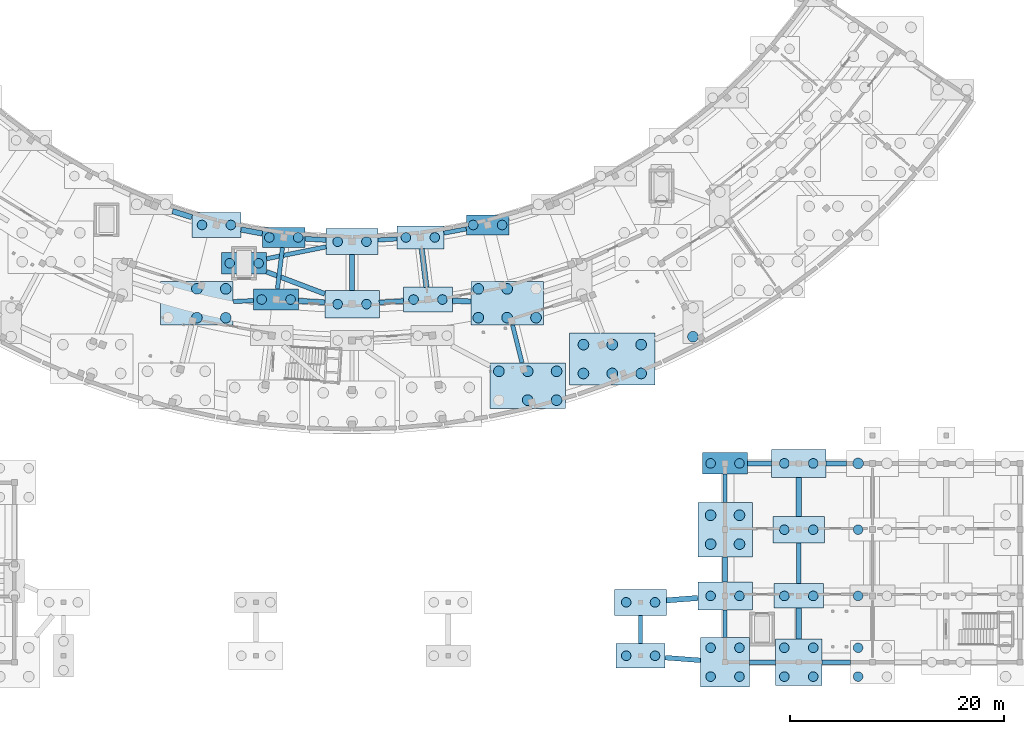
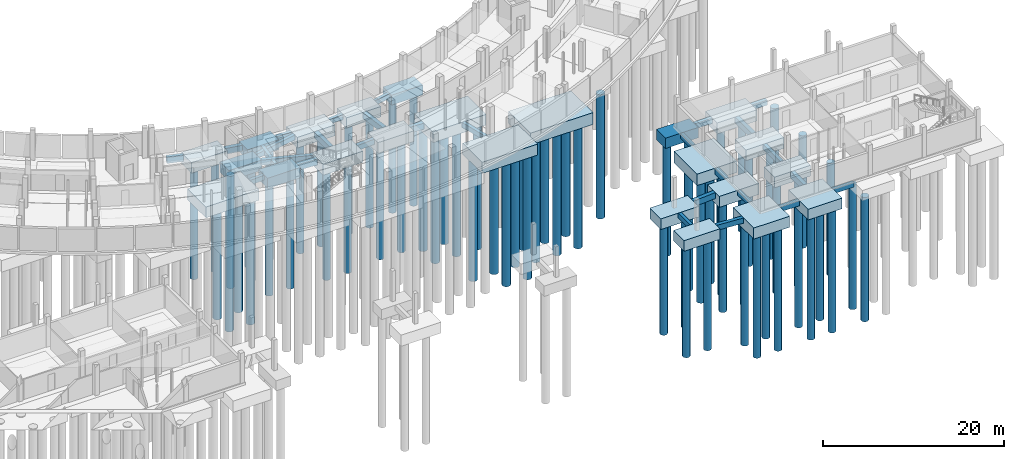
# One storey, part 3 of 58: 70 piles, 51 footings.
"""IFC4 building model written with IfcOpenShell, lengths in metres."""

from ifc_helpers import new_model, si_unit, direction, frame, origin, origin_2d, place, context, subcontext, project, spatial, rectangle, circle, extrude, material, material_profile, profile_set, type_object, element, save


model = new_model("IFC4")

# Units and contexts
model_context = context("Model", 3, precision=1e-05, world=origin(), true_north=direction((0.0, 1.0)))
body_context = subcontext(model_context, "Body", "Model", "MODEL_VIEW")
ifc_project = project(units=[si_unit("LENGTHUNIT", "METRE"), si_unit("AREAUNIT", "SQUARE_METRE"), si_unit("VOLUMEUNIT", "CUBIC_METRE"), si_unit("PLANEANGLEUNIT", "RADIAN"), si_unit("MASSUNIT", "GRAM", prefix="KILO")], contexts=[model_context])

# Site, building, storey
site_placement = place(None, origin())
site = spatial("IfcSite", under=ifc_project, at=site_placement, CompositionType="ELEMENT")
building_placement = place(site_placement, origin())
building = spatial("IfcBuilding", under=site, at=building_placement, Name="Caldaven Crescent School", CompositionType="ELEMENT")
storey_placement = place(building_placement, frame((0.0, 0.0, -4.080078125)))
storey = spatial("IfcBuildingStorey", under=building, at=storey_placement, Name="B1", CompositionType="ELEMENT", Elevation=-4.080078125)

# Footings
ifc_material_1 = material(Name="Concrete C30/37", Category="concrete")
ifc_material_profile_1 = material_profile(ifc_material_1, rectangle(XDim=0.449951171875, YDim=0.699951171875, at=origin_2d()), Name="FB 450x700")
ifc_profile_set_1 = profile_set([ifc_material_profile_1], Name="Concrete C30/37")
footing_type_1 = type_object("IfcFootingType", Name="FTG-FB1", PredefinedType="FOOTING_BEAM", material=ifc_profile_set_1)
footing_1_placement = place(storey_placement, frame((134.27490234375, 22.800048828125, -0.64990234375), z_axis=(-1.0, 0.0, 0.0), x_axis=(0.0, -1.0, 0.0)))
element("IfcFooting", 1, at=footing_1_placement, inside=storey, type_object=footing_type_1, Name="FB-088", PredefinedType="FOOTING_BEAM", context=body_context, shape_type="SweptSolid", body=[
    extrude(rectangle(XDim=0.449951171875, YDim=0.699951171875, at=origin_2d()), origin(), (0.0, 0.0, 1.0), 1.9248046875),
])
footing_2_placement = place(storey_placement, frame((125.199951171875, 4.199951171875, -0.64990234375), z_axis=(1.0, 0.0, 0.0), x_axis=(0.0, 1.0, 0.0)))
element("IfcFooting", 2, at=footing_2_placement, inside=storey, type_object=footing_type_1, Name="FB-097", PredefinedType="FOOTING_BEAM", context=body_context, shape_type="SweptSolid", body=[
    extrude(rectangle(XDim=0.449951171875, YDim=0.699951171875, at=origin_2d()), origin(), (0.0, 0.0, 1.0), 2.425048828125),
])
footing_3_placement = place(storey_placement, frame((125.0, 22.800048828125, -0.64990234375), z_axis=(1.0, 0.0, 0.0), x_axis=(0.0, 1.0, 0.0)))
element("IfcFooting", 3, at=footing_3_placement, inside=storey, type_object=footing_type_1, Name="FB-100", PredefinedType="FOOTING_BEAM", context=body_context, shape_type="SweptSolid", body=[
    extrude(rectangle(XDim=0.449951171875, YDim=0.699951171875, at=origin_2d()), origin(), (0.0, 0.0, 1.0), 2.25),
])
footing_4_placement = place(storey_placement, frame((129.800048828125, 11.550048828125, -0.64990234375), z_axis=(0.0, 1.0, 0.0), x_axis=(-1.0, 0.0, 0.0)))
element("IfcFooting", 4, at=footing_4_placement, inside=storey, type_object=footing_type_1, Name="FB-103", PredefinedType="FOOTING_BEAM", context=body_context, shape_type="SweptSolid", body=[
    extrude(rectangle(XDim=0.449951171875, YDim=0.699951171875, at=origin_2d()), origin(), (0.0, 0.0, 1.0), 3.824951171875),
])
footing_5_placement = place(storey_placement, frame((83.60791015625, 43.818603515625, -0.64990234375), z_axis=(0.998133191916, -0.061074800002, 0.0), x_axis=(0.061074800002, 0.998133191916, 0.0)))
element("IfcFooting", 5, at=footing_5_placement, inside=storey, type_object=footing_type_1, Name="FB-157", PredefinedType="FOOTING_BEAM", context=body_context, shape_type="SweptSolid", body=[
    extrude(rectangle(XDim=0.449951171875, YDim=0.699951171875, at=origin_2d()), origin(), (0.0, 0.0, 1.0), 1.970703125),
])
footing_6_placement = place(storey_placement, frame((92.804931640625, 37.993896484375, -0.64990234375), z_axis=(-0.998134126405, -0.061059525922, 0.0), x_axis=(0.061059525922, -0.998134126405, 0.0)))
element("IfcFooting", 6, at=footing_6_placement, inside=storey, type_object=footing_type_1, Name="FB-166", PredefinedType="FOOTING_BEAM", context=body_context, shape_type="SweptSolid", body=[
    extrude(rectangle(XDim=0.449951171875, YDim=0.699951171875, at=origin_2d()), origin(), (0.0, 0.0, 1.0), 2.259033203125),
])
footing_7_placement = place(storey_placement, frame((117.300048828125, 4.625244140625, -0.64990234375), z_axis=(0.997131648296, -0.075686696098, 0.0), x_axis=(0.075686696098, 0.997131648296, 0.0)))
element("IfcFooting", 7, at=footing_7_placement, inside=storey, type_object=footing_type_1, Name="FB-202", PredefinedType="FOOTING_BEAM", context=body_context, shape_type="SweptSolid", body=[
    extrude(rectangle(XDim=0.449951171875, YDim=0.699951171875, at=origin_2d()), origin(), (0.0, 0.0, 1.0), 3.3095703125),
])
footing_8_placement = place(storey_placement, frame((80.004150390625, 40.7314453125, -0.64990234375), z_axis=(0.935051679319, -0.354511434233, 0.0), x_axis=(0.354511434233, 0.935051679319, 0.0)))
element("IfcFooting", 8, at=footing_8_placement, inside=storey, type_object=footing_type_1, Name="FB-205", PredefinedType="FOOTING_BEAM", context=body_context, shape_type="SweptSolid", body=[
    extrude(rectangle(XDim=0.449951171875, YDim=0.699951171875, at=origin_2d()), origin(), (0.0, 0.0, 1.0), 5.823974609375),
])
ifc_material_profile_2 = material_profile(ifc_material_1, rectangle(XDim=0.5, YDim=0.800048828125, at=origin_2d()), Name="FB 500x800")
ifc_profile_set_2 = profile_set([ifc_material_profile_2], Name="Concrete C30/37")
footing_type_2 = type_object("IfcFootingType", Name="FTG-FB2", PredefinedType="FOOTING_BEAM", material=ifc_profile_set_2)
footing_9_placement = place(storey_placement, frame((122.89990234375, 11.699951171875, -0.699951171875), z_axis=(0.0, 1.0, 0.0), x_axis=(-1.0, 0.0, 0.0)))
element("IfcFooting", 9, at=footing_9_placement, inside=storey, type_object=footing_type_2, Name="FB-098", PredefinedType="FOOTING_BEAM", context=body_context, shape_type="SweptSolid", body=[
    extrude(rectangle(XDim=0.5, YDim=0.800048828125, at=origin_2d()), origin(), (0.0, 0.0, 1.0), 2.35009765625),
])
footing_10_placement = place(storey_placement, frame((129.800048828125, 6.375, -0.699951171875), z_axis=(0.0, 1.0, 0.0), x_axis=(-1.0, 0.0, 0.0)))
element("IfcFooting", 10, at=footing_10_placement, inside=storey, type_object=footing_type_2, Name="FB-101", PredefinedType="FOOTING_BEAM", context=body_context, shape_type="SweptSolid", body=[
    extrude(rectangle(XDim=0.5, YDim=0.800048828125, at=origin_2d()), origin(), (0.0, 0.0, 1.0), 2.875),
])
footing_11_placement = place(storey_placement, frame((129.800048828125, 17.824951171875, -0.699951171875), z_axis=(0.0, 1.0, 0.0), x_axis=(-1.0, 0.0, 0.0)))
element("IfcFooting", 11, at=footing_11_placement, inside=storey, type_object=footing_type_2, Name="FB-104", PredefinedType="FOOTING_BEAM", context=body_context, shape_type="SweptSolid", body=[
    extrude(rectangle(XDim=0.5, YDim=0.800048828125, at=origin_2d()), origin(), (0.0, 0.0, 1.0), 3.675048828125),
])
footing_12_placement = place(storey_placement, frame((71.2041015625, 46.40380859375, -0.699951171875), z_axis=(0.953674139729, -0.300841545024, 0.0), x_axis=(0.300841545024, 0.953674139729, 0.0)))
element("IfcFooting", 12, at=footing_12_placement, inside=storey, type_object=footing_type_2, Name="FB-149", PredefinedType="FOOTING_BEAM", context=body_context, shape_type="SweptSolid", body=[
    extrude(rectangle(XDim=0.5, YDim=0.800048828125, at=origin_2d()), origin(), (0.0, 0.0, 1.0), 1.89501953125),
])
footing_13_placement = place(storey_placement, frame((77.611083984375, 44.681640625, -0.699951171875), z_axis=(0.983274031937, -0.182132309376, 0.0), x_axis=(0.182132309376, 0.983274031937, 0.0)))
element("IfcFooting", 13, at=footing_13_placement, inside=storey, type_object=footing_type_2, Name="FB-152", PredefinedType="FOOTING_BEAM", context=body_context, shape_type="SweptSolid", body=[
    extrude(rectangle(XDim=0.5, YDim=0.800048828125, at=origin_2d()), origin(), (0.0, 0.0, 1.0), 2.03076171875),
])
footing_14_placement = place(storey_placement, frame((82.9951171875, 38.006103515625, -0.699951171875), z_axis=(0.998134738814, -0.061049514109, 0.0), x_axis=(0.061049514109, 0.998134738814, 0.0)))
element("IfcFooting", 14, at=footing_14_placement, inside=storey, type_object=footing_type_2, Name="FB-158", PredefinedType="FOOTING_BEAM", context=body_context, shape_type="SweptSolid", body=[
    extrude(rectangle(XDim=0.5, YDim=0.800048828125, at=origin_2d()), origin(), (0.0, 0.0, 1.0), 2.45947265625),
])
footing_15_placement = place(storey_placement, frame((88.0, 42.324951171875, -0.699951171875), z_axis=(0.0, -1.0, 0.0), x_axis=(1.0, 0.0, 0.0)))
element("IfcFooting", 15, at=footing_15_placement, inside=storey, type_object=footing_type_2, Name="FB-161", PredefinedType="FOOTING_BEAM", context=body_context, shape_type="SweptSolid", body=[
    extrude(rectangle(XDim=0.5, YDim=0.800048828125, at=origin_2d()), origin(), (0.0, 0.0, 1.0), 3.324951171875),
])
footing_16_placement = place(storey_placement, frame((94.52392578125, 42.865966796875, -0.699951171875), z_axis=(0.121927553527, -0.992539002604, 0.0), x_axis=(0.992539002604, 0.121927553527, 0.0)))
element("IfcFooting", 16, at=footing_16_placement, inside=storey, type_object=footing_type_2, Name="FB-164", PredefinedType="FOOTING_BEAM", context=body_context, shape_type="SweptSolid", body=[
    extrude(rectangle(XDim=0.5, YDim=0.800048828125, at=origin_2d()), origin(), (0.0, 0.0, 1.0), 3.608154296875),
])
footing_17_placement = place(storey_placement, frame((99.115234375, 37.94384765625, -0.699951171875), z_axis=(-0.998865232382, 0.047626122429, 0.0), x_axis=(-0.047626122429, -0.998865232382, 0.0)))
element("IfcFooting", 17, at=footing_17_placement, inside=storey, type_object=footing_type_2, Name="FB-173", PredefinedType="FOOTING_BEAM", context=body_context, shape_type="SweptSolid", body=[
    extrude(rectangle(XDim=0.5, YDim=0.800048828125, at=origin_2d()), origin(), (0.0, 0.0, 1.0), 1.712158203125),
])
footing_18_placement = place(storey_placement, frame((117.425048828125, 9.984130859375, -0.699951171875), z_axis=(0.99712794643, 0.075735450401, 0.0), x_axis=(-0.075735450401, 0.99712794643, 0.0)))
element("IfcFooting", 18, at=footing_18_placement, inside=storey, type_object=footing_type_2, Name="FB-203", PredefinedType="FOOTING_BEAM", context=body_context, shape_type="SweptSolid", body=[
    extrude(rectangle(XDim=0.5, YDim=0.800048828125, at=origin_2d()), origin(), (0.0, 0.0, 1.0), 2.93359375),
])
ifc_material_profile_3 = material_profile(ifc_material_1, rectangle(XDim=0.39990234375, YDim=0.64990234375, at=origin_2d()), Name="FB 400x650")
ifc_profile_set_3 = profile_set([ifc_material_profile_3], Name="Concrete C30/37")
footing_type_3 = type_object("IfcFootingType", Name="FTG-FB3", PredefinedType="FOOTING_BEAM", material=ifc_profile_set_3)
footing_19_placement = place(storey_placement, frame((122.89990234375, 6.5, -0.625), z_axis=(0.0, 1.0, 0.0), x_axis=(-1.0, 0.0, 0.0)))
element("IfcFooting", 19, at=footing_19_placement, inside=storey, type_object=footing_type_3, Name="FB-096", PredefinedType="FOOTING_BEAM", context=body_context, shape_type="SweptSolid", body=[
    extrude(rectangle(XDim=0.39990234375, YDim=0.64990234375, at=origin_2d()), origin(), (0.0, 0.0, 1.0), 2.60009765625),
])
footing_20_placement = place(storey_placement, frame((122.89990234375, 19.14990234375, -0.625), z_axis=(0.0, 1.0, 0.0), x_axis=(-1.0, 0.0, 0.0)))
element("IfcFooting", 20, at=footing_20_placement, inside=storey, type_object=footing_type_3, Name="FB-099", PredefinedType="FOOTING_BEAM", context=body_context, shape_type="SweptSolid", body=[
    extrude(rectangle(XDim=0.39990234375, YDim=0.64990234375, at=origin_2d()), origin(), (0.0, 0.0, 1.0), 2.650146484375),
])
footing_21_placement = place(storey_placement, frame((131.97509765625, 4.199951171875, -0.625), z_axis=(1.0, 0.0, 0.0), x_axis=(0.0, 1.0, 0.0)))
element("IfcFooting", 21, at=footing_21_placement, inside=storey, type_object=footing_type_3, Name="FB-102", PredefinedType="FOOTING_BEAM", context=body_context, shape_type="SweptSolid", body=[
    extrude(rectangle(XDim=0.39990234375, YDim=0.64990234375, at=origin_2d()), origin(), (0.0, 0.0, 1.0), 2.6748046875),
])
footing_22_placement = place(storey_placement, frame((76.884765625, 37.94384765625, -0.625), z_axis=(0.998865536681, 0.047619739926, 0.0), x_axis=(-0.047619739926, 0.998865536681, 0.0)))
element("IfcFooting", 22, at=footing_22_placement, inside=storey, type_object=footing_type_3, Name="FB-153", PredefinedType="FOOTING_BEAM", context=body_context, shape_type="SweptSolid", body=[
    extrude(rectangle(XDim=0.39990234375, YDim=0.64990234375, at=origin_2d()), origin(), (0.0, 0.0, 1.0), 1.912353515625),
])
footing_23_placement = place(storey_placement, frame((81.4912109375, 42.990966796875, -0.625), z_axis=(-0.121838087394, -0.992549988897, 0.0), x_axis=(0.992549988897, -0.121838087394, 0.0)))
element("IfcFooting", 23, at=footing_23_placement, inside=storey, type_object=footing_type_3, Name="FB-156", PredefinedType="FOOTING_BEAM", context=body_context, shape_type="SweptSolid", body=[
    extrude(rectangle(XDim=0.39990234375, YDim=0.64990234375, at=origin_2d()), origin(), (0.0, 0.0, 1.0), 3.885498046875),
])
footing_24_placement = place(storey_placement, frame((92.19189453125, 43.806396484375, -0.625), z_axis=(-0.998131720244, -0.061098846493, 0.0), x_axis=(0.061098846493, -0.998131720244, 0.0)))
element("IfcFooting", 24, at=footing_24_placement, inside=storey, type_object=footing_type_3, Name="FB-165", PredefinedType="FOOTING_BEAM", context=body_context, shape_type="SweptSolid", body=[
    extrude(rectangle(XDim=0.39990234375, YDim=0.64990234375, at=origin_2d()), origin(), (0.0, 0.0, 1.0), 1.770263671875),
])
footing_25_placement = place(storey_placement, frame((98.688720703125, 44.7373046875, -0.625), z_axis=(-0.983248582579, -0.18226964875, 0.0), x_axis=(0.18226964875, -0.983248582579, 0.0)))
element("IfcFooting", 25, at=footing_25_placement, inside=storey, type_object=footing_type_3, Name="FB-171", PredefinedType="FOOTING_BEAM", context=body_context, shape_type="SweptSolid", body=[
    extrude(rectangle(XDim=0.39990234375, YDim=0.64990234375, at=origin_2d()), origin(), (0.0, 0.0, 1.0), 2.13232421875),
])
footing_26_placement = place(storey_placement, frame((103.902587890625, 32.218505859375, -0.625), z_axis=(-0.241948682698, 0.970289047109, 0.0), x_axis=(-0.970289047109, -0.241948682698, 0.0)))
element("IfcFooting", 26, at=footing_26_placement, inside=storey, type_object=footing_type_3, Name="FB-174", PredefinedType="FOOTING_BEAM", context=body_context, shape_type="SweptSolid", body=[
    extrude(rectangle(XDim=0.39990234375, YDim=0.64990234375, at=origin_2d()), origin(), (0.0, 0.0, 1.0), 3.62158203125),
])
footing_27_placement = place(storey_placement, frame((115.0, 5.949951171875, -0.625), z_axis=(0.0, 1.0, 0.0), x_axis=(-1.0, 0.0, 0.0)))
element("IfcFooting", 27, at=footing_27_placement, inside=storey, type_object=footing_type_3, Name="FB-201", PredefinedType="FOOTING_BEAM", context=body_context, shape_type="SweptSolid", body=[
    extrude(rectangle(XDim=0.39990234375, YDim=0.64990234375, at=origin_2d()), origin(), (0.0, 0.0, 1.0), 2.625),
])
footing_28_placement = place(storey_placement, frame((80.004150390625, 41.948486328125, -0.625), z_axis=(0.980527751815, 0.196380569103, 0.0), x_axis=(-0.196380569103, 0.980527751815, 0.0)))
element("IfcFooting", 28, at=footing_28_placement, inside=storey, type_object=footing_type_3, Name="FB-204", PredefinedType="FOOTING_BEAM", context=body_context, shape_type="SweptSolid", body=[
    extrude(rectangle(XDim=0.39990234375, YDim=0.64990234375, at=origin_2d()), origin(), (0.0, 0.0, 1.0), 5.681396484375),
])
ifc_material_2 = material(Name="Concrete C35/45", Category="concrete")
footing_type_4 = type_object("IfcFootingType", Name="FTG-PC01", PredefinedType="PILE_CAP", material=ifc_material_2)
for number, where, z_axis, x_axis, name in (
    (29, (81.60791015625, 43.94091796875, -1.64990234375), (0.0, 0.0, 1.0), (1.0, 0.0, 0.0), "PC-133"),
    (30, (100.688720703125, 45.10791015625, -1.64990234375), (0.0, 0.0, 1.0), (1.0, 0.0, 0.0), "PC-145"),
):
    element("IfcFooting", number, at=place(storey_placement, frame(where, z_axis=z_axis, x_axis=x_axis)), inside=storey, type_object=footing_type_4, Name=name, PredefinedType="PILE_CAP", context=body_context, shape_type="SweptSolid", body=[
        extrude(rectangle(XDim=4.0, YDim=1.89990234375, at=origin_2d()), origin(), (0.0, 0.0, 1.0), 1.35009765625),
    ])
footing_type_5 = type_object("IfcFootingType", Name="FTG-PC02", PredefinedType="PILE_CAP", material=ifc_material_2)
for number, where, z_axis, x_axis, name in (
    (31, (122.89990234375, 22.800048828125, -1.699951171875), (0.0, 0.0, 1.0), (1.0, 0.0, 0.0), "PC-086"),
    (32, (80.89501953125, 38.134521484375, -1.699951171875), (0.0, 0.0, 1.0), (1.0, 0.0, 0.0), "PC-134"),
    (33, (77.904296875, 41.527587890625, -1.699951171875), (0.0, 0.0, 1.0), (1.0, 0.0, 0.0), "PC-176"),
):
    element("IfcFooting", number, at=place(storey_placement, frame(where, z_axis=z_axis, x_axis=x_axis)), inside=storey, type_object=footing_type_5, Name=name, PredefinedType="PILE_CAP", context=body_context, shape_type="SweptSolid", body=[
        extrude(rectangle(XDim=4.199951171875, YDim=2.0, at=origin_2d()), origin(), (0.0, 0.0, 1.0), 1.39990234375),
    ])
footing_type_6 = type_object("IfcFootingType", Name="FTG-PC03", PredefinedType="PILE_CAP", material=ifc_material_2)
footing_29_placement = place(storey_placement, frame((94.39208984375, 43.94091796875, -1.699951171875), z_axis=(0.0, 0.0, 1.0), x_axis=(1.0, 0.0, 0.0)))
element("IfcFooting", 34, at=footing_29_placement, inside=storey, type_object=footing_type_6, Name="PC-141", PredefinedType="PILE_CAP", context=body_context, shape_type="SweptSolid", body=[
    extrude(rectangle(XDim=4.39990234375, YDim=2.14990234375, at=origin_2d()), origin(), (0.0, 0.0, 1.0), 1.39990234375),
])
footing_type_7 = type_object("IfcFootingType", Name="FTG-PC04", PredefinedType="PILE_CAP", material=ifc_material_2)
for number, where, z_axis, x_axis, name in (
    (35, (129.800048828125, 10.39990234375, -1.75), (0.0, 0.0, 1.0), (1.0, 0.0, 0.0), "PC-088"),
    (36, (75.311279296875, 45.10791015625, -1.75), (0.0, 0.0, 1.0), (1.0, 0.0, 0.0), "PC-130"),
    (37, (95.10498046875, 38.134521484375, -1.75), (0.0, 0.0, 1.0), (1.0, 0.0, 0.0), "PC-142"),
    (38, (115.0, 4.800048828125, -1.75), (0.0, 0.0, 1.0), (1.0, 0.0, 0.0), "PC-172"),
):
    element("IfcFooting", number, at=place(storey_placement, frame(where, z_axis=z_axis, x_axis=x_axis)), inside=storey, type_object=footing_type_7, Name=name, PredefinedType="PILE_CAP", context=body_context, shape_type="SweptSolid", body=[
        extrude(rectangle(XDim=4.60009765625, YDim=2.300048828125, at=origin_2d()), origin(), (0.0, 0.0, 1.0), 1.449951171875),
    ])
footing_type_8 = type_object("IfcFootingType", Name="FTG-PC05", PredefinedType="PILE_CAP", material=ifc_material_2)
for number, where, z_axis, x_axis, name in (
    (39, (129.800048828125, 16.60009765625, -1.75), (0.0, 0.0, 1.0), (1.0, 0.0, 0.0), "PC-089"),
    (40, (88.0, 43.550048828125, -1.75), (0.0, 0.0, 1.0), (1.0, 0.0, 0.0), "PC-137"),
    (41, (115.0, 9.800048828125, -1.75), (0.0, 0.0, 1.0), (1.0, 0.0, 0.0), "PC-173"),
):
    element("IfcFooting", number, at=place(storey_placement, frame(where, z_axis=z_axis, x_axis=x_axis)), inside=storey, type_object=footing_type_8, Name=name, PredefinedType="PILE_CAP", context=body_context, shape_type="SweptSolid", body=[
        extrude(rectangle(XDim=4.85009765625, YDim=2.449951171875, at=origin_2d()), origin(), (0.0, 0.0, 1.0), 1.449951171875),
    ])
footing_type_9 = type_object("IfcFootingType", Name="FTG-PC06", PredefinedType="PILE_CAP", material=ifc_material_2)
for number, where, z_axis, x_axis, name in (
    (42, (122.89990234375, 10.39990234375, -1.7998046875), (0.0, 0.0, 1.0), (1.0, 0.0, 0.0), "PC-084"),
    (43, (129.800048828125, 22.800048828125, -1.7998046875), (0.0, 0.0, 1.0), (1.0, 0.0, 0.0), "PC-090"),
    (44, (88.0, 37.699951171875, -1.7998046875), (0.0, 0.0, 1.0), (1.0, 0.0, 0.0), "PC-138"),
):
    element("IfcFooting", number, at=place(storey_placement, frame(where, z_axis=z_axis, x_axis=x_axis)), inside=storey, type_object=footing_type_9, Name=name, PredefinedType="PILE_CAP", context=body_context, shape_type="SweptSolid", body=[
        extrude(rectangle(XDim=5.10009765625, YDim=2.60009765625, at=origin_2d()), origin(), (0.0, 0.0, 1.0), 1.5),
    ])
footing_type_10 = type_object("IfcFootingType", Name="FTG-PC08", PredefinedType="PILE_CAP", material=ifc_material_2)
footing_30_placement = place(storey_placement, frame((129.800048828125, 4.199951171875, -1.75), z_axis=(0.0, 0.0, 1.0), x_axis=(1.0, 0.0, 0.0)))
element("IfcFooting", 45, at=footing_30_placement, inside=storey, type_object=footing_type_10, Name="PC-087", PredefinedType="PILE_CAP", context=body_context, shape_type="SweptSolid", body=[
    extrude(rectangle(XDim=4.35009765625, YDim=4.35009765625, at=origin_2d()), origin(), (0.0, 0.0, 1.0), 1.449951171875),
])
footing_type_11 = type_object("IfcFootingType", Name="FTG-PC09", PredefinedType="PILE_CAP", material=ifc_material_2)
footing_31_placement = place(storey_placement, frame((122.89990234375, 4.199951171875, -1.7998046875), z_axis=(0.0, 0.0, 1.0), x_axis=(1.0, 0.0, 0.0)))
element("IfcFooting", 46, at=footing_31_placement, inside=storey, type_object=footing_type_11, Name="PC-083", PredefinedType="PILE_CAP", context=body_context, shape_type="SweptSolid", body=[
    extrude(rectangle(XDim=4.60009765625, YDim=4.60009765625, at=origin_2d()), origin(), (0.0, 0.0, 1.0), 1.5),
])
footing_type_12 = type_object("IfcFootingType", Name="FTG-PC11", PredefinedType="PILE_CAP", material=ifc_material_2)
footing_32_placement = place(storey_placement, frame((122.89990234375, 16.60009765625, -1.85009765625), z_axis=(0.0, 0.0, 1.0), x_axis=(1.0, 0.0, 0.0)))
element("IfcFooting", 47, at=footing_32_placement, inside=storey, type_object=footing_type_12, Name="PC-085", PredefinedType="PILE_CAP", context=body_context, shape_type="SweptSolid", body=[
    extrude(rectangle(XDim=5.10009765625, YDim=5.10009765625, at=origin_2d()), origin(), (0.0, 0.0, 1.0), 1.550048828125),
])
footing_type_13 = type_object("IfcFootingType", Name="FTG-PC12", PredefinedType="PILE_CAP", material=ifc_material_2)
for number, where, z_axis, x_axis, name in (
    (48, (73.484619140625, 37.7822265625, -1.75), (0.0, 0.0, 1.0), (1.0, 0.0, 0.0), "PC-131"),
    (49, (102.515380859375, 37.7822265625, -1.75), (0.0, 0.0, 1.0), (1.0, 0.0, 0.0), "PC-146"),
):
    element("IfcFooting", number, at=place(storey_placement, frame(where, z_axis=z_axis, x_axis=x_axis)), inside=storey, type_object=footing_type_13, Name=name, PredefinedType="PILE_CAP", context=body_context, shape_type="SweptSolid", body=[
        extrude(rectangle(XDim=6.800048828125, YDim=4.10009765625, at=origin_2d()), origin(), (0.0, 0.0, 1.0), 1.449951171875),
    ])
footing_type_14 = type_object("IfcFootingType", Name="FTG-PC13", PredefinedType="PILE_CAP", material=ifc_material_2)
footing_33_placement = place(storey_placement, frame((104.438720703125, 30.068359375, -1.7998046875), z_axis=(0.0, 0.0, 1.0), x_axis=(1.0, 0.0, 0.0)))
element("IfcFooting", 50, at=footing_33_placement, inside=storey, type_object=footing_type_14, Name="PC-147", PredefinedType="PILE_CAP", context=body_context, shape_type="SweptSolid", body=[
    extrude(rectangle(XDim=7.10009765625, YDim=4.300048828125, at=origin_2d()), origin(), (0.0, 0.0, 1.0), 1.5),
])
footing_type_15 = type_object("IfcFootingType", Name="FTG-PC16", PredefinedType="PILE_CAP", material=ifc_material_2)
footing_34_placement = place(storey_placement, frame((112.3505859375, 32.564697265625, -1.89990234375), z_axis=(0.0, 0.0, 1.0), x_axis=(1.0, 0.0, 0.0)))
element("IfcFooting", 51, at=footing_34_placement, inside=storey, type_object=footing_type_15, Name="PC-150", PredefinedType="PILE_CAP", context=body_context, shape_type="SweptSolid", body=[
    extrude(rectangle(XDim=8.0, YDim=4.89990234375, at=origin_2d()), origin(), (0.0, 0.0, 1.0), 1.60009765625),
])

# Piles
ifc_material_profile_4 = material_profile(ifc_material_2, circle(Radius=0.5, at=origin_2d()), Name="PILE D1000")
ifc_profile_set_4 = profile_set([ifc_material_profile_4], Name="Concrete C35/45")
pile_type_1 = type_object("IfcPileType", Name="PIL-D1000", PredefinedType="BORED", material=ifc_profile_set_4)
for number, where, z_axis, x_axis, name in (
    (52, (135.35009765625, 22.800048828125, -1.64990234375), (0.0, 0.0, -1.0), (1.0, 0.0, 0.0), "PILE-077-1"),
    (53, (121.550048828125, 15.25, -1.75), (0.0, 0.0, -1.0), (1.0, 0.0, 0.0), "PILE-085-1"),
    (54, (124.25, 15.25, -1.75), (0.0, 0.0, -1.0), (1.0, 0.0, 0.0), "PILE-085-2"),
    (55, (121.550048828125, 17.949951171875, -1.75), (0.0, 0.0, -1.0), (1.0, 0.0, 0.0), "PILE-085-3"),
    (56, (124.25, 17.949951171875, -1.75), (0.0, 0.0, -1.0), (1.0, 0.0, 0.0), "PILE-085-4"),
    (57, (73.484619140625, 36.432373046875, -1.64990234375), (0.0, 0.0, -1.0), (1.0, 0.0, 0.0), "PILE-131-2"),
    (58, (76.184814453125, 36.432373046875, -1.64990234375), (0.0, 0.0, -1.0), (1.0, 0.0, 0.0), "PILE-131-3"),
    (59, (73.484619140625, 39.13232421875, -1.64990234375), (0.0, 0.0, -1.0), (1.0, 0.0, 0.0), "PILE-131-5"),
    (60, (76.184814453125, 39.13232421875, -1.64990234375), (0.0, 0.0, -1.0), (1.0, 0.0, 0.0), "PILE-131-6"),
    (61, (99.815185546875, 36.432373046875, -1.64990234375), (0.0, 0.0, -1.0), (1.0, 0.0, 0.0), "PILE-146-1"),
    (62, (102.515380859375, 36.432373046875, -1.64990234375), (0.0, 0.0, -1.0), (1.0, 0.0, 0.0), "PILE-146-2"),
    (63, (105.21533203125, 36.432373046875, -1.64990234375), (0.0, 0.0, -1.0), (1.0, 0.0, 0.0), "PILE-146-3"),
    (64, (99.815185546875, 39.13232421875, -1.64990234375), (0.0, 0.0, -1.0), (1.0, 0.0, 0.0), "PILE-146-4"),
    (65, (102.515380859375, 39.13232421875, -1.64990234375), (0.0, 0.0, -1.0), (1.0, 0.0, 0.0), "PILE-146-5"),
    (66, (104.438720703125, 28.718505859375, -1.699951171875), (0.0, 0.0, -1.0), (1.0, 0.0, 0.0), "PILE-147-2"),
    (67, (107.138671875, 28.718505859375, -1.699951171875), (0.0, 0.0, -1.0), (1.0, 0.0, 0.0), "PILE-147-3"),
    (68, (101.738525390625, 31.41845703125, -1.699951171875), (0.0, 0.0, -1.0), (1.0, 0.0, 0.0), "PILE-147-4"),
    (69, (104.438720703125, 31.41845703125, -1.699951171875), (0.0, 0.0, -1.0), (1.0, 0.0, 0.0), "PILE-147-5"),
    (70, (107.138671875, 31.41845703125, -1.699951171875), (0.0, 0.0, -1.0), (1.0, 0.0, 0.0), "PILE-147-6"),
    (71, (109.650390625, 31.214599609375, -1.7998046875), (0.0, 0.0, -1.0), (1.0, 0.0, 0.0), "PILE-150-1"),
    (72, (112.3505859375, 31.214599609375, -1.7998046875), (0.0, 0.0, -1.0), (1.0, 0.0, 0.0), "PILE-150-2"),
    (73, (115.050537109375, 31.214599609375, -1.7998046875), (0.0, 0.0, -1.0), (1.0, 0.0, 0.0), "PILE-150-3"),
    (74, (109.650390625, 33.914794921875, -1.7998046875), (0.0, 0.0, -1.0), (1.0, 0.0, 0.0), "PILE-150-4"),
    (75, (112.3505859375, 33.914794921875, -1.7998046875), (0.0, 0.0, -1.0), (1.0, 0.0, 0.0), "PILE-150-5"),
    (76, (115.050537109375, 33.914794921875, -1.7998046875), (0.0, 0.0, -1.0), (1.0, 0.0, 0.0), "PILE-150-6"),
    (77, (119.900634765625, 34.65380859375, -1.5498046875), (0.0, 0.0, -1.0), (1.0, 0.0, 0.0), "PILE-153-1"),
):
    element("IfcPile", number, at=place(storey_placement, frame(where, z_axis=z_axis, x_axis=x_axis)), inside=storey, type_object=pile_type_1, Name=name, PredefinedType="BORED", context=body_context, shape_type="SweptSolid", body=[
        extrude(circle(Radius=0.5, at=origin_2d()), origin(), (0.0, 0.0, 1.0), 16.800048828125),
    ])
ifc_material_profile_5 = material_profile(ifc_material_2, circle(Radius=0.449951171875, at=origin_2d()), Name="PILE D900")
ifc_profile_set_5 = profile_set([ifc_material_profile_5], Name="Concrete C35/45")
pile_type_2 = type_object("IfcPileType", Name="PIL-D900", PredefinedType="BORED", material=ifc_profile_set_5)
for number, where, z_axis, x_axis, name in (
    (78, (121.550048828125, 2.85009765625, -1.699951171875), (0.0, 0.0, -1.0), (1.0, 0.0, 0.0), "PILE-083-1"),
    (79, (124.25, 2.85009765625, -1.699951171875), (0.0, 0.0, -1.0), (1.0, 0.0, 0.0), "PILE-083-2"),
    (80, (121.550048828125, 5.550048828125, -1.699951171875), (0.0, 0.0, -1.0), (1.0, 0.0, 0.0), "PILE-083-3"),
    (81, (124.25, 5.550048828125, -1.699951171875), (0.0, 0.0, -1.0), (1.0, 0.0, 0.0), "PILE-083-4"),
):
    element("IfcPile", number, at=place(storey_placement, frame(where, z_axis=z_axis, x_axis=x_axis)), inside=storey, type_object=pile_type_2, Name=name, PredefinedType="BORED", context=body_context, shape_type="SweptSolid", body=[
        extrude(circle(Radius=0.449951171875, at=origin_2d()), origin(), (0.0, 0.0, 1.0), 16.800048828125),
    ])
for number, where, z_axis, x_axis, name in (
    (82, (121.550048828125, 10.39990234375, -1.699951171875), (0.0, 0.0, -1.0), (1.0, 0.0, 0.0), "PILE-084-1"),
    (83, (124.25, 10.39990234375, -1.699951171875), (0.0, 0.0, -1.0), (1.0, 0.0, 0.0), "PILE-084-2"),
    (84, (121.550048828125, 22.800048828125, -1.599853515625), (0.0, 0.0, -1.0), (1.0, 0.0, 0.0), "PILE-086-1"),
    (85, (124.25, 22.800048828125, -1.599853515625), (0.0, 0.0, -1.0), (1.0, 0.0, 0.0), "PILE-086-2"),
):
    element("IfcPile", number, at=place(storey_placement, frame(where, z_axis=z_axis, x_axis=x_axis)), inside=storey, type_object=pile_type_2, Name=name, PredefinedType="BORED", context=body_context, shape_type="SweptSolid", body=[
        extrude(circle(Radius=0.449951171875, at=origin_2d()), origin(), (0.0, 0.0, 1.0), 15.199951171875),
    ])
for number, where, z_axis, x_axis, name in (
    (86, (128.449951171875, 2.85009765625, -1.64990234375), (0.0, 0.0, -1.0), (1.0, 0.0, 0.0), "PILE-087-1"),
    (87, (131.14990234375, 2.85009765625, -1.64990234375), (0.0, 0.0, -1.0), (1.0, 0.0, 0.0), "PILE-087-2"),
    (88, (128.449951171875, 5.550048828125, -1.64990234375), (0.0, 0.0, -1.0), (1.0, 0.0, 0.0), "PILE-087-3"),
    (89, (131.14990234375, 5.550048828125, -1.64990234375), (0.0, 0.0, -1.0), (1.0, 0.0, 0.0), "PILE-087-4"),
):
    element("IfcPile", number, at=place(storey_placement, frame(where, z_axis=z_axis, x_axis=x_axis)), inside=storey, type_object=pile_type_2, Name=name, PredefinedType="BORED", context=body_context, shape_type="SweptSolid", body=[
        extrude(circle(Radius=0.449951171875, at=origin_2d()), origin(), (0.0, 0.0, 1.0), 16.800048828125),
    ])
for number, where, z_axis, x_axis, name in (
    (90, (128.449951171875, 10.39990234375, -1.64990234375), (0.0, 0.0, -1.0), (1.0, 0.0, 0.0), "PILE-088-1"),
    (91, (131.14990234375, 10.39990234375, -1.64990234375), (0.0, 0.0, -1.0), (1.0, 0.0, 0.0), "PILE-088-2"),
    (92, (128.449951171875, 16.60009765625, -1.64990234375), (0.0, 0.0, -1.0), (1.0, 0.0, 0.0), "PILE-089-1"),
    (93, (131.14990234375, 16.60009765625, -1.64990234375), (0.0, 0.0, -1.0), (1.0, 0.0, 0.0), "PILE-089-2"),
    (94, (128.449951171875, 22.800048828125, -1.699951171875), (0.0, 0.0, -1.0), (1.0, 0.0, 0.0), "PILE-090-1"),
    (95, (131.14990234375, 22.800048828125, -1.699951171875), (0.0, 0.0, -1.0), (1.0, 0.0, 0.0), "PILE-090-2"),
):
    element("IfcPile", number, at=place(storey_placement, frame(where, z_axis=z_axis, x_axis=x_axis)), inside=storey, type_object=pile_type_2, Name=name, PredefinedType="BORED", context=body_context, shape_type="SweptSolid", body=[
        extrude(circle(Radius=0.449951171875, at=origin_2d()), origin(), (0.0, 0.0, 1.0), 15.199951171875),
    ])
for number, where, z_axis, x_axis, name in (
    (96, (135.35009765625, 2.85009765625, -1.599853515625), (0.0, 0.0, -1.0), (1.0, 0.0, 0.0), "PILE-091-1"),
    (97, (135.35009765625, 5.550048828125, -1.599853515625), (0.0, 0.0, -1.0), (1.0, 0.0, 0.0), "PILE-091-3"),
):
    element("IfcPile", number, at=place(storey_placement, frame(where, z_axis=z_axis, x_axis=x_axis)), inside=storey, type_object=pile_type_2, Name=name, PredefinedType="BORED", context=body_context, shape_type="SweptSolid", body=[
        extrude(circle(Radius=0.449951171875, at=origin_2d()), origin(), (0.0, 0.0, 1.0), 16.800048828125),
    ])
for number, where, z_axis, x_axis, name in (
    (98, (135.35009765625, 10.39990234375, -1.599853515625), (0.0, 0.0, -1.0), (1.0, 0.0, 0.0), "PILE-092-1"),
    (99, (135.35009765625, 16.60009765625, -1.599853515625), (0.0, 0.0, -1.0), (1.0, 0.0, 0.0), "PILE-093-1"),
    (100, (73.961181640625, 45.10791015625, -1.64990234375), (0.0, 0.0, -1.0), (1.0, 0.0, 0.0), "PILE-130-1"),
    (101, (76.6611328125, 45.10791015625, -1.64990234375), (0.0, 0.0, -1.0), (1.0, 0.0, 0.0), "PILE-130-2"),
    (102, (80.258056640625, 43.94091796875, -1.5498046875), (0.0, 0.0, -1.0), (1.0, 0.0, 0.0), "PILE-133-1"),
    (103, (82.9580078125, 43.94091796875, -1.5498046875), (0.0, 0.0, -1.0), (1.0, 0.0, 0.0), "PILE-133-2"),
    (104, (79.544921875, 38.134521484375, -1.599853515625), (0.0, 0.0, -1.0), (1.0, 0.0, 0.0), "PILE-134-1"),
    (105, (82.2451171875, 38.134521484375, -1.599853515625), (0.0, 0.0, -1.0), (1.0, 0.0, 0.0), "PILE-134-2"),
    (106, (86.64990234375, 43.550048828125, -1.64990234375), (0.0, 0.0, -1.0), (1.0, 0.0, 0.0), "PILE-137-1"),
    (107, (89.35009765625, 43.550048828125, -1.64990234375), (0.0, 0.0, -1.0), (1.0, 0.0, 0.0), "PILE-137-2"),
    (108, (86.64990234375, 37.699951171875, -1.699951171875), (0.0, 0.0, -1.0), (1.0, 0.0, 0.0), "PILE-138-1"),
    (109, (89.35009765625, 37.699951171875, -1.699951171875), (0.0, 0.0, -1.0), (1.0, 0.0, 0.0), "PILE-138-2"),
    (110, (93.0419921875, 43.94091796875, -1.599853515625), (0.0, 0.0, -1.0), (1.0, 0.0, 0.0), "PILE-141-1"),
    (111, (95.741943359375, 43.94091796875, -1.599853515625), (0.0, 0.0, -1.0), (1.0, 0.0, 0.0), "PILE-141-2"),
    (112, (93.7548828125, 38.134521484375, -1.64990234375), (0.0, 0.0, -1.0), (1.0, 0.0, 0.0), "PILE-142-1"),
    (113, (96.455078125, 38.134521484375, -1.64990234375), (0.0, 0.0, -1.0), (1.0, 0.0, 0.0), "PILE-142-2"),
    (114, (99.3388671875, 45.10791015625, -1.5498046875), (0.0, 0.0, -1.0), (1.0, 0.0, 0.0), "PILE-145-1"),
    (115, (102.038818359375, 45.10791015625, -1.5498046875), (0.0, 0.0, -1.0), (1.0, 0.0, 0.0), "PILE-145-2"),
    (116, (113.64990234375, 4.800048828125, -1.64990234375), (0.0, 0.0, -1.0), (1.0, 0.0, 0.0), "PILE-172-1"),
    (117, (116.35009765625, 4.800048828125, -1.64990234375), (0.0, 0.0, -1.0), (1.0, 0.0, 0.0), "PILE-172-2"),
    (118, (113.64990234375, 9.800048828125, -1.64990234375), (0.0, 0.0, -1.0), (1.0, 0.0, 0.0), "PILE-173-1"),
    (119, (116.35009765625, 9.800048828125, -1.64990234375), (0.0, 0.0, -1.0), (1.0, 0.0, 0.0), "PILE-173-2"),
    (120, (76.55419921875, 41.527587890625, -1.599853515625), (0.0, 0.0, -1.0), (1.0, 0.0, 0.0), "PILE-176-1"),
    (121, (79.254150390625, 41.527587890625, -1.599853515625), (0.0, 0.0, -1.0), (1.0, 0.0, 0.0), "PILE-176-2"),
):
    element("IfcPile", number, at=place(storey_placement, frame(where, z_axis=z_axis, x_axis=x_axis)), inside=storey, type_object=pile_type_2, Name=name, PredefinedType="BORED", context=body_context, shape_type="SweptSolid", body=[
        extrude(circle(Radius=0.449951171875, at=origin_2d()), origin(), (0.0, 0.0, 1.0), 15.199951171875),
    ])

save(model, "model.ifc")
